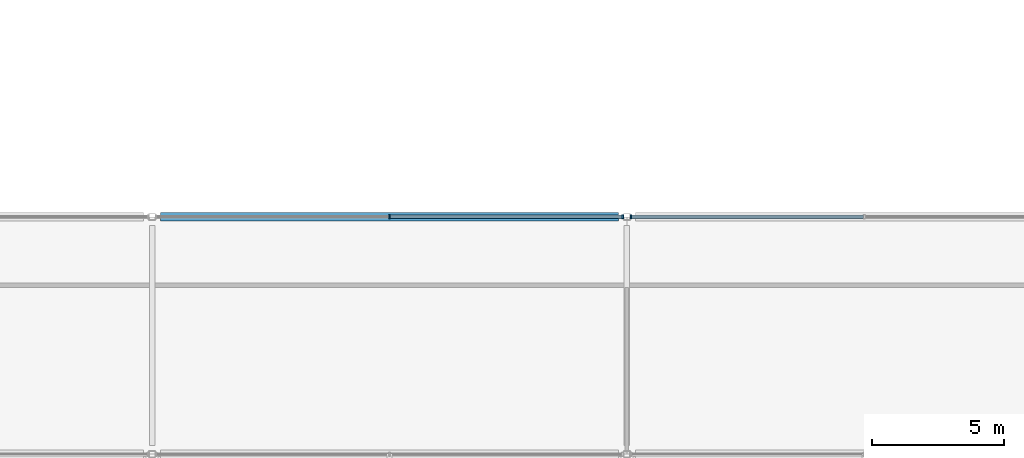
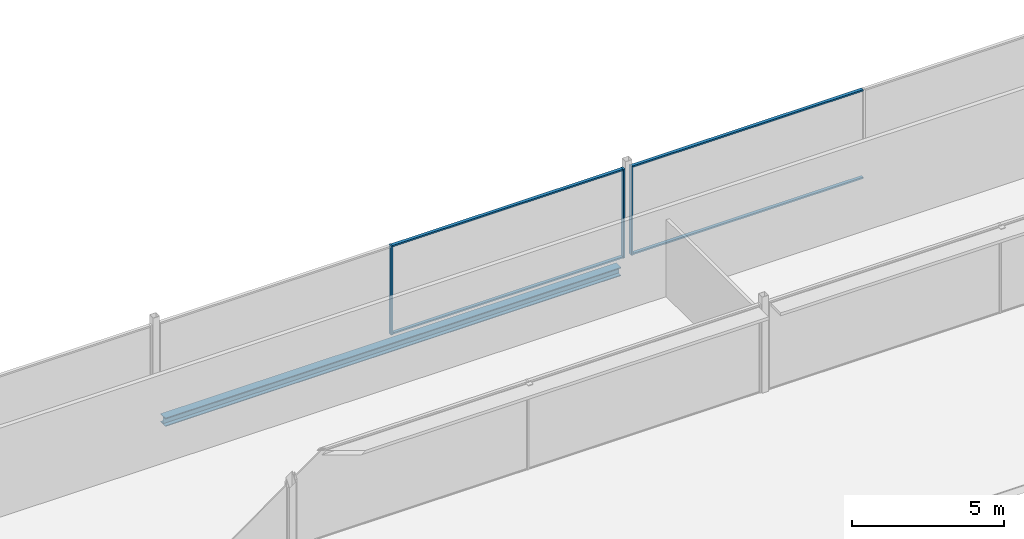
# One storey, part 39 of 105: 7 members, 1 beam, 2 elements without a shape of their own.
"""IFC4 building model written with IfcOpenShell, lengths in metres."""

from ifc_helpers import new_model, si_unit, direction, frame, origin, origin_2d, place, context, subcontext, project, spatial, rectangle, i_section, extrude, material, layer, layer_set, material_profile, profile_set, type_object, element, aggregate, save


model = new_model("IFC4")

# Units and contexts
model_context = context("Model", 3, precision=1e-05, world=origin(), true_north=direction((0.0, 1.0)))
body_context = subcontext(model_context, "Body", "Model", "MODEL_VIEW")
ifc_project = project(units=[si_unit("LENGTHUNIT", "METRE"), si_unit("AREAUNIT", "SQUARE_METRE"), si_unit("VOLUMEUNIT", "CUBIC_METRE"), si_unit("PLANEANGLEUNIT", "RADIAN"), si_unit("MASSUNIT", "GRAM", prefix="KILO")], contexts=[model_context])

# Site, building, storey
site_placement = place(None, origin())
site = spatial("IfcSite", under=ifc_project, at=site_placement, CompositionType="ELEMENT")
building_placement = place(site_placement, origin())
building = spatial("IfcBuilding", under=site, at=building_placement, Name="Kisiwana Market Hall", CompositionType="ELEMENT")
storey_placement = place(building_placement, frame((0.0, 0.0, 21.60009765625)))
storey = spatial("IfcBuildingStorey", under=building, at=storey_placement, Name="L04", CompositionType="ELEMENT", Elevation=21.60009765625)

# Beam
ifc_material_1 = material(Name="Steel S355", Category="steel")
ifc_material_profile_1 = material_profile(ifc_material_1, i_section(OverallWidth=0.314453125, OverallDepth=0.33984375, WebThickness=0.01904296875, FlangeThickness=0.031494140625, at=origin_2d()), Name="UC 305x305x198")
ifc_profile_set_1 = profile_set([ifc_material_profile_1], Name="Steel S355")
beam_type = type_object("IfcBeamType", Name="BM-SKYBR-CHORD", PredefinedType="BEAM", material=ifc_profile_set_1)
beam_placement = place(storey_placement, frame((81.321044921875, 102.0, -0.43505859375), z_axis=(1.0, 0.0, 0.0), x_axis=(0.0, 1.0, 0.0)))
element("IfcBeam", 1, at=beam_placement, inside=storey, type_object=beam_type, Name="Floor beam B-1473", PredefinedType="BEAM", context=body_context, shape_type="SweptSolid", body=[
    extrude(i_section(OverallWidth=0.314453125, OverallDepth=0.33984375, WebThickness=0.01904296875, FlangeThickness=0.031494140625, at=origin_2d()), origin(), (0.0, 0.0, 1.0), 17.35791015625),
])

# Curtain wall, members
ifc_material_2 = material(Name="Double-glazed solar-control low-E IGU", Category="glass")
ifc_layer = layer(ifc_material_2, 0.159912109375)
ifc_layer_set = layer_set([ifc_layer], Name="CW-ZNA-EW-8200")
curtain_wall_type = type_object("IfcCurtainWallType", Name="CW-ZNA-EW-8200", PredefinedType="USERDEFINED", material=ifc_layer_set)
curtain_wall_1_placement = place(storey_placement, origin())
curtain_wall_1 = element("IfcCurtainWall", 2, at=curtain_wall_1_placement, inside=storey, type_object=curtain_wall_type, Name="Unitised curtain wall CW-112 (L04)", ObjectType="UNITISED CURTAIN WALL", PredefinedType="USERDEFINED")
ifc_material_3 = material(Name="Aluminium alloy 6063-T6", Category="aluminium")
ifc_material_profile_2 = material_profile(ifc_material_3, rectangle(XDim=0.06005859375, YDim=0.159912109375, at=origin_2d()), Name="ALU MULLION 60x160")
ifc_profile_set_2 = profile_set([ifc_material_profile_2], Name="Aluminium alloy 6063-T6")
member_type_1 = type_object("IfcMemberType", Name="CW-MULL-60x160", PredefinedType="MULLION", material=ifc_profile_set_2)
member_1_placement = place(storey_placement, frame((90.0, 102.0, 0.0), z_axis=(0.0, 0.0, 1.0), x_axis=(1.0, 0.0, 0.0)))
member_1 = element("IfcMember", 3, at=member_1_placement, type_object=member_type_1, Name="CW-112 mullion 2", PredefinedType="MULLION", context=body_context, shape_type="SweptSolid", body=[
    extrude(rectangle(XDim=0.06005859375, YDim=0.159912109375, at=origin_2d()), origin(), (0.0, 0.0, 1.0), 3.5849609375),
])
member_2_placement = place(storey_placement, frame((98.844970703125, 102.0, 0.0), z_axis=(0.0, 0.0, 1.0), x_axis=(1.0, 0.0, 0.0)))
member_2 = element("IfcMember", 4, at=member_2_placement, type_object=member_type_1, Name="CW-112 mullion 3", PredefinedType="MULLION", context=body_context, shape_type="SweptSolid", body=[
    extrude(rectangle(XDim=0.06005859375, YDim=0.159912109375, at=origin_2d()), origin(), (0.0, 0.0, 1.0), 3.5849609375),
])

# Curtain wall, member
curtain_wall_2_placement = place(storey_placement, origin())
curtain_wall_2 = element("IfcCurtainWall", 5, at=curtain_wall_2_placement, inside=storey, type_object=curtain_wall_type, Name="Unitised curtain wall CW-113 (L04)", ObjectType="UNITISED CURTAIN WALL", PredefinedType="USERDEFINED")
member_3_placement = place(storey_placement, frame((99.155029296875, 102.0, 0.0), z_axis=(0.0, 0.0, 1.0), x_axis=(1.0, 0.0, 0.0)))
member_3 = element("IfcMember", 6, at=member_3_placement, type_object=member_type_1, Name="CW-113 mullion 1", PredefinedType="MULLION", context=body_context, shape_type="SweptSolid", body=[
    extrude(rectangle(XDim=0.06005859375, YDim=0.159912109375, at=origin_2d()), origin(), (0.0, 0.0, 1.0), 3.5849609375),
])

# Member
ifc_material_4 = material(Name="Aluminium alloy 6063-T6", Category="aluminium")
ifc_material_profile_3 = material_profile(ifc_material_4, rectangle(XDim=0.1201171875, YDim=0.06005859375, at=origin_2d()), Name="ALU TRANSOM 60x120")
ifc_profile_set_3 = profile_set([ifc_material_profile_3], Name="Aluminium alloy 6063-T6")
member_type_2 = type_object("IfcMemberType", Name="CW-TRAN-60x120", PredefinedType="USERDEFINED", material=ifc_profile_set_3)
member_4_placement = place(storey_placement, frame((90.030029296875, 102.0, 0.02978515625), z_axis=(1.0, 0.0, 0.0), x_axis=(0.0, 1.0, 0.0)))
member_4 = element("IfcMember", 7, at=member_4_placement, type_object=member_type_2, Name="CW-112 transom 2.1", ObjectType="TRANSOM", PredefinedType="USERDEFINED", context=body_context, shape_type="SweptSolid", body=[
    extrude(rectangle(XDim=0.1201171875, YDim=0.06005859375, at=origin_2d()), origin(), (0.0, 0.0, 1.0), 8.784912109375),
])

member_5_placement = place(storey_placement, frame((90.030029296875, 102.0, 3.554931640625), z_axis=(1.0, 0.0, 0.0), x_axis=(0.0, 1.0, 0.0)))
member_5 = element("IfcMember", 8, at=member_5_placement, type_object=member_type_2, Name="CW-112 transom 2.2", ObjectType="TRANSOM", PredefinedType="USERDEFINED", context=body_context, shape_type="SweptSolid", body=[
    extrude(rectangle(XDim=0.1201171875, YDim=0.06005859375, at=origin_2d()), origin(), (0.0, 0.0, 1.0), 8.784912109375),
])

aggregate(curtain_wall_1, [member_1, member_2, member_4, member_5])

member_6_placement = place(storey_placement, frame((99.18505859375, 102.0, 0.02978515625), z_axis=(1.0, 0.0, 0.0), x_axis=(0.0, 1.0, 0.0)))
member_6 = element("IfcMember", 9, at=member_6_placement, type_object=member_type_2, Name="CW-113 transom 1.1", ObjectType="TRANSOM", PredefinedType="USERDEFINED", context=body_context, shape_type="SweptSolid", body=[
    extrude(rectangle(XDim=0.1201171875, YDim=0.06005859375, at=origin_2d()), origin(), (0.0, 0.0, 1.0), 8.784912109375),
])

member_7_placement = place(storey_placement, frame((99.18505859375, 102.0, 3.554931640625), z_axis=(1.0, 0.0, 0.0), x_axis=(0.0, 1.0, 0.0)))
member_7 = element("IfcMember", 10, at=member_7_placement, type_object=member_type_2, Name="CW-113 transom 1.2", ObjectType="TRANSOM", PredefinedType="USERDEFINED", context=body_context, shape_type="SweptSolid", body=[
    extrude(rectangle(XDim=0.1201171875, YDim=0.06005859375, at=origin_2d()), origin(), (0.0, 0.0, 1.0), 8.784912109375),
])

aggregate(curtain_wall_2, [member_3, member_6, member_7])

save(model, "model.ifc")
